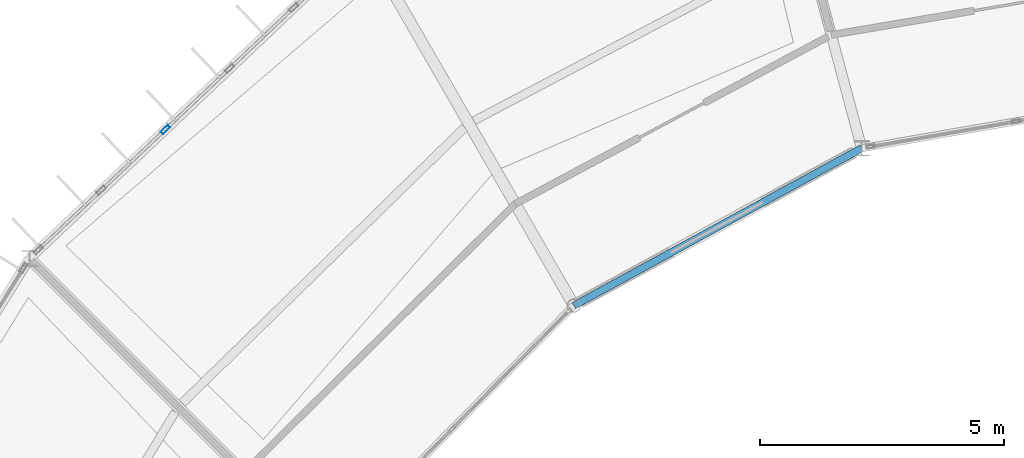
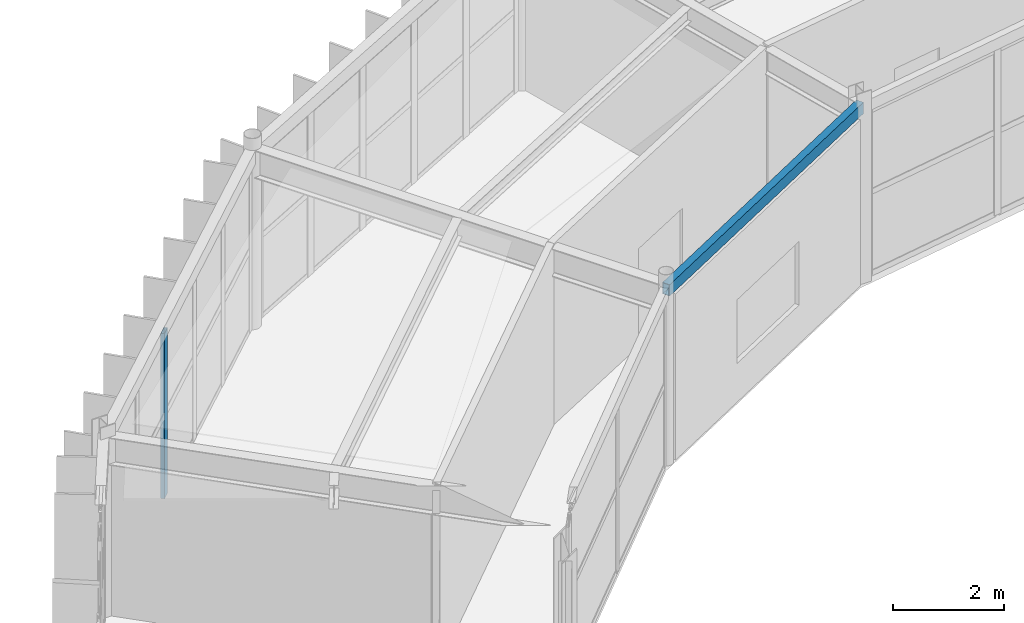
# One storey, part 76 of 148: 1 beam, 1 member, 1 element without a shape of its own.
"""IFC4 building model written with IfcOpenShell, lengths in metres."""

from ifc_helpers import new_model, si_unit, direction, frame, origin, origin_2d, place, context, subcontext, project, spatial, hollow_rectangle, extrude, material, material_profile, profile_set, type_object, element, aggregate, save


model = new_model("IFC4")

# Units and contexts
model_context = context("Model", 3, precision=1e-05, world=origin(), true_north=direction((0.0, 1.0)))
body_context = subcontext(model_context, "Body", "Model", "MODEL_VIEW")
ifc_project = project(units=[si_unit("LENGTHUNIT", "METRE"), si_unit("AREAUNIT", "SQUARE_METRE"), si_unit("VOLUMEUNIT", "CUBIC_METRE"), si_unit("PLANEANGLEUNIT", "RADIAN"), si_unit("MASSUNIT", "GRAM", prefix="KILO")], contexts=[model_context])

# Site, building, storey
site_placement = place(None, origin())
site = spatial("IfcSite", under=ifc_project, at=site_placement, CompositionType="ELEMENT")
building_placement = place(site_placement, origin())
building = spatial("IfcBuilding", under=site, at=building_placement, Name="Karori Crest Natural Sciences Institute", CompositionType="ELEMENT")
storey_placement = place(building_placement, frame((0.0, 0.0, 4.89990234375)))
storey = spatial("IfcBuildingStorey", under=building, at=storey_placement, Name="L01", CompositionType="ELEMENT", Elevation=4.89990234375)

# Beam
ifc_material_1 = material(Name="Hollow structural steel AS/NZS 1163 Grade C350", Category="steel")
ifc_material_profile_1 = material_profile(ifc_material_1, hollow_rectangle(XDim=0.14990234375, YDim=0.25, WallThickness=0.009033203125, at=origin_2d()), Name="RHS250x150x9")
ifc_profile_set_1 = profile_set([ifc_material_profile_1], Name="Hollow structural steel AS/NZS 1163 Grade C350")
beam_type = type_object("IfcBeamType", Name="BT-16", PredefinedType="SPANDREL", material=ifc_profile_set_1)
beam_placement = place(storey_placement, frame((60.084716796875, 81.002685546875, 3.7900390625), z_axis=(-0.877461157042, -0.479647701842, 0.0), x_axis=(0.479647701842, -0.877461157042, 0.0)))
element("IfcBeam", 1, at=beam_placement, inside=storey, type_object=beam_type, Name="Beam B-0208", PredefinedType="SPANDREL", context=body_context, shape_type="SweptSolid", body=[
    extrude(hollow_rectangle(XDim=0.14990234375, YDim=0.25, WallThickness=0.009033203125, at=origin_2d()), origin(), (0.0, 0.0, 1.0), 6.70654296875),
])

# Curtain wall, member
ifc_material_2 = material(Name="Anodised architectural aluminium 6063-T6", Category="aluminium")
curtain_wall_type = type_object("IfcCurtainWallType", Name="CWT-09", PredefinedType="NOTDEFINED", material=ifc_material_2)
curtain_wall_placement = place(storey_placement, origin())
curtain_wall = element("IfcCurtainWall", 2, at=curtain_wall_placement, inside=storey, type_object=curtain_wall_type, Name="Curtain wall CW-0042", PredefinedType="NOTDEFINED")
ifc_material_profile_2 = material_profile(ifc_material_2, hollow_rectangle(XDim=0.074951171875, YDim=0.199951171875, WallThickness=0.0048828125, at=origin_2d()), Name="CWM200x75x5")
ifc_profile_set_2 = profile_set([ifc_material_profile_2], Name="Anodised architectural aluminium 6063-T6")
member_type = type_object("IfcMemberType", Name="CWM-02", PredefinedType="MULLION", material=ifc_profile_set_2)
member_placement = place(storey_placement, frame((45.84521484375, 81.38720703125, 0.0), z_axis=(0.0, 0.0, 1.0), x_axis=(-0.688250886925, 0.725472753897, 0.0)))
member = element("IfcMember", 3, at=member_placement, type_object=member_type, Name="CW-0042 mullion 3", PredefinedType="MULLION", context=body_context, shape_type="SweptSolid", body=[
    extrude(hollow_rectangle(XDim=0.074951171875, YDim=0.199951171875, WallThickness=0.0048828125, at=origin_2d()), origin(), (0.0, 0.0, 1.0), 3.625),
])
aggregate(curtain_wall, [member])

save(model, "model.ifc")
